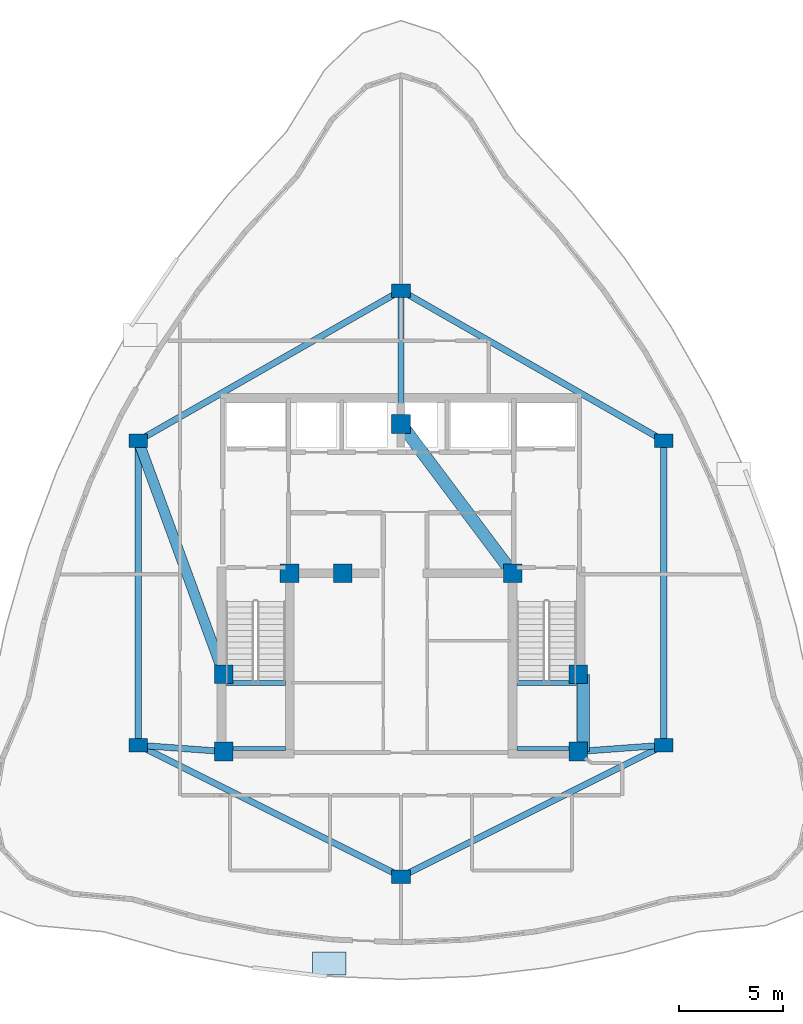
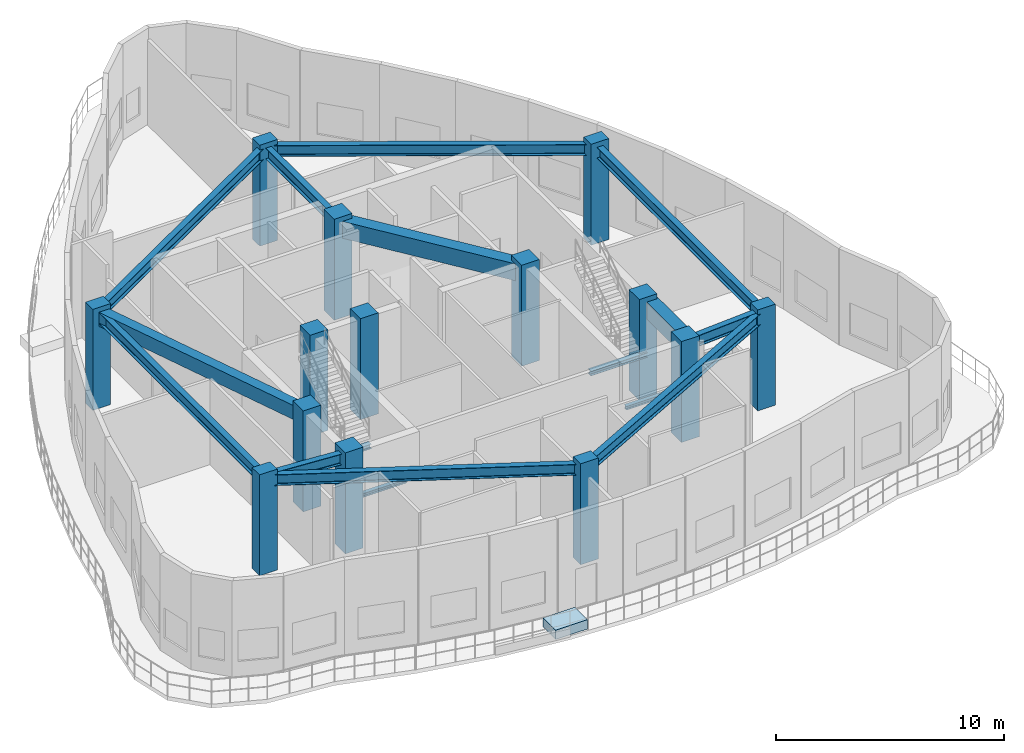
# One storey, part 1 of 11: 16 beams, 14 columns, 1 slab.
"""IFC4 building model written with IfcOpenShell, lengths in metres."""

from ifc_helpers import new_model, si_unit, direction, frame, origin, origin_2d, place, context, subcontext, project, spatial, polyline, rectangle, i_section, outline, extrude, material, layer, layer_set, material_profile, profile_set, type_object, element, save


model = new_model("IFC4")

# Units and contexts
model_context = context("Model", 3, precision=1e-05, world=origin(), true_north=direction((0.0, 1.0)))
body_context = subcontext(model_context, "Body", "Model", "MODEL_VIEW")
ifc_project = project(units=[si_unit("LENGTHUNIT", "METRE"), si_unit("AREAUNIT", "SQUARE_METRE"), si_unit("VOLUMEUNIT", "CUBIC_METRE"), si_unit("PLANEANGLEUNIT", "RADIAN"), si_unit("MASSUNIT", "GRAM", prefix="KILO")], contexts=[model_context])

# Site, building, storey
site_placement = place(None, origin())
site = spatial("IfcSite", under=ifc_project, at=site_placement, CompositionType="ELEMENT")
building_placement = place(site_placement, origin())
building = spatial("IfcBuilding", under=site, at=building_placement, Name="Miruveldt Soraemaru", CompositionType="ELEMENT")
storey_placement = place(building_placement, frame((0.0, 0.0, 295.39990234375)))
storey = spatial("IfcBuildingStorey", under=building, at=storey_placement, Name="L79", CompositionType="ELEMENT", Elevation=295.39990234375)

# Columns
ifc_material_1 = material(Name="Concrete C50/60 (50 MPa)", Category="concrete")
ifc_material_profile_1 = material_profile(ifc_material_1, rectangle(XDim=0.89990234375, YDim=0.89990234375, at=origin_2d()), Name="Concrete C50/60 (50 MPa)", Category="concrete")
ifc_profile_set_1 = profile_set([ifc_material_profile_1], Name="Concrete C50/60 (50 MPa)")
column_type_1 = type_object("IfcColumnType", Name="COL-CORE-900", PredefinedType="COLUMN", material=ifc_profile_set_1)
for number, where, z_axis, x_axis, name in (
    (1, (35.5, 35.5, 0.0), (0.0, 0.0, 1.0), (1.0, 0.0, 0.0), "L79 Structural Column CC1"),
    (2, (38.64990234375, 44.050048828125, 0.0), (0.0, 0.0, 1.0), (1.0, 0.0, 0.0), "L79 Structural Column CC2"),
    (3, (52.5, 35.5, 0.0), (0.0, 0.0, 1.0), (1.0, 0.0, 0.0), "L79 Structural Column CC3"),
    (4, (52.5, 39.199951171875, 0.0), (0.0, 0.0, 1.0), (1.0, 0.0, 0.0), "L79 Structural Column CC4"),
    (5, (49.35009765625, 44.050048828125, 0.0), (0.0, 0.0, 1.0), (1.0, 0.0, 0.0), "L79 Structural Column CC5"),
    (6, (44.0, 51.199951171875, 0.0), (0.0, 0.0, 1.0), (1.0, 0.0, 0.0), "L79 Structural Column CC6"),
    (7, (35.5, 39.199951171875, 0.0), (0.0, 0.0, 1.0), (1.0, 0.0, 0.0), "L79 Structural Column CC7"),
    (8, (41.199951171875, 44.050048828125, 0.0), (0.0, 0.0, 1.0), (1.0, 0.0, 0.0), "L79 Structural Column CC8"),
):
    element("IfcColumn", number, at=place(storey_placement, frame(where, z_axis=z_axis, x_axis=x_axis)), inside=storey, type_object=column_type_1, Name=name, PredefinedType="COLUMN", context=body_context, shape_type="SweptSolid", body=[
        extrude(rectangle(XDim=0.89990234375, YDim=0.89990234375, at=origin_2d()), origin(), (0.0, 0.0, 1.0), 5.400146484375),
    ])
ifc_material_profile_2 = material_profile(ifc_material_1, rectangle(XDim=0.89990234375, YDim=0.64990234375, at=origin_2d()), Name="Concrete C50/60 (50 MPa)", Category="concrete")
ifc_profile_set_2 = profile_set([ifc_material_profile_2], Name="Concrete C50/60 (50 MPa)")
column_type_2 = type_object("IfcColumnType", Name="COL-TW-Z4", PredefinedType="COLUMN", material=ifc_profile_set_2)
for number, where, z_axis, x_axis, name in (
    (9, (44.0, 57.60009765625, 0.0), (0.0, 0.0, 1.0), (1.0, 0.0, 0.0), "L79 Structural Column IR01"),
    (10, (56.60009765625, 50.39990234375, 0.0), (0.0, 0.0, 1.0), (1.0, 0.0, 0.0), "L79 Structural Column IR02"),
    (11, (56.60009765625, 35.800048828125, 0.0), (0.0, 0.0, 1.0), (1.0, 0.0, 0.0), "L79 Structural Column IR03"),
    (12, (44.0, 29.5, 0.0), (0.0, 0.0, 1.0), (1.0, 0.0, 0.0), "L79 Structural Column IR04"),
    (13, (31.39990234375, 35.800048828125, 0.0), (0.0, 0.0, 1.0), (1.0, 0.0, 0.0), "L79 Structural Column IR05"),
    (14, (31.39990234375, 50.39990234375, 0.0), (0.0, 0.0, 1.0), (1.0, 0.0, 0.0), "L79 Structural Column IR06"),
):
    element("IfcColumn", number, at=place(storey_placement, frame(where, z_axis=z_axis, x_axis=x_axis)), inside=storey, type_object=column_type_2, Name=name, PredefinedType="COLUMN", context=body_context, shape_type="SweptSolid", body=[
        extrude(rectangle(XDim=0.89990234375, YDim=0.64990234375, at=origin_2d()), origin(), (0.0, 0.0, 1.0), 5.400146484375),
    ])

# Beams
ifc_material_2 = material(Name="Concrete C40/50 (40 MPa)", Category="concrete")
ifc_material_profile_3 = material_profile(ifc_material_2, rectangle(XDim=0.5, YDim=0.75, at=origin_2d()), Name="Concrete C40/50 (40 MPa)", Category="concrete")
ifc_profile_set_3 = profile_set([ifc_material_profile_3], Name="Concrete C40/50 (40 MPa)")
beam_type_1 = type_object("IfcBeamType", Name="BM-RC-500x750", PredefinedType="LINTEL", material=ifc_profile_set_3)
beam_1_placement = place(storey_placement, frame((31.39990234375, 50.39990234375, 4.76513671875), z_axis=(0.343770424598, -0.939053723262, 0.0), x_axis=(0.939053723262, 0.343770424598, 0.0)))
element("IfcBeam", 15, at=beam_1_placement, inside=storey, type_object=beam_type_1, Name="L79 West Lobby Lintel", PredefinedType="LINTEL", context=body_context, shape_type="SweptSolid", body=[
    extrude(rectangle(XDim=0.5, YDim=0.75, at=origin_2d()), origin(), (0.0, 0.0, 1.0), 11.9267578125),
])
ifc_material_3 = material(Name="Concrete C60/75 (60 MPa)", Category="concrete")
ifc_material_profile_4 = material_profile(ifc_material_3, rectangle(XDim=0.60009765625, YDim=0.89990234375, at=origin_2d()), Name="Concrete C60/75 (60 MPa)", Category="concrete")
ifc_profile_set_4 = profile_set([ifc_material_profile_4], Name="Concrete C60/75 (60 MPa)")
beam_type_2 = type_object("IfcBeamType", Name="BM-RC-600x900", PredefinedType="BEAM", material=ifc_profile_set_4)
beam_2_placement = place(storey_placement, frame((52.72998046875, 35.5, 4.690185546875), z_axis=(0.0, 1.0, 0.0), x_axis=(-1.0, 0.0, 0.0)))
element("IfcBeam", 16, at=beam_2_placement, inside=storey, type_object=beam_type_2, Name="L79 Core Tie Beam 3", PredefinedType="BEAM", context=body_context, shape_type="SweptSolid", body=[
    extrude(rectangle(XDim=0.60009765625, YDim=0.89990234375, at=origin_2d()), origin(), (0.0, 0.0, 1.0), 3.699951171875),
])
beam_3_placement = place(storey_placement, frame((49.35009765625, 44.050048828125, 4.690185546875), z_axis=(-0.599116023999, 0.800662219533, 0.0), x_axis=(-0.800662219533, -0.599116023999, 0.0)))
element("IfcBeam", 17, at=beam_3_placement, inside=storey, type_object=beam_type_2, Name="L79 Core Tie Beam 5", PredefinedType="BEAM", context=body_context, shape_type="SweptSolid", body=[
    extrude(rectangle(XDim=0.60009765625, YDim=0.89990234375, at=origin_2d()), origin(), (0.0, 0.0, 1.0), 8.929931640625),
])
ifc_material_4 = material(Name="Steel SM355 (355 MPa)", Category="steel")
ifc_material_profile_5 = material_profile(ifc_material_4, i_section(OverallWidth=0.300048828125, OverallDepth=0.587890625, WebThickness=0.011962890625, FlangeThickness=0.02001953125, FilletRadius=0.028076171875, at=origin_2d()), Name="Steel SM355 (355 MPa)", Category="steel")
ifc_profile_set_5 = profile_set([ifc_material_profile_5], Name="Steel SM355 (355 MPa)")
beam_type_3 = type_object("IfcBeamType", Name="BM-ST-H588", PredefinedType="BEAM", material=ifc_profile_set_5)
beam_4_placement = place(storey_placement, frame((44.0, 57.60009765625, 4.84619140625), z_axis=(0.868239001029, -0.496146185203, 0.0), x_axis=(0.496146185203, 0.868239001029, 0.0)))
element("IfcBeam", 18, at=beam_4_placement, inside=storey, type_object=beam_type_3, Name="L79 Inner Ring Girder 1", PredefinedType="BEAM", context=body_context, shape_type="SweptSolid", body=[
    extrude(i_section(OverallWidth=0.300048828125, OverallDepth=0.587890625, WebThickness=0.011962890625, FlangeThickness=0.02001953125, FilletRadius=0.028076171875, at=origin_2d()), origin(), (0.0, 0.0, 1.0), 14.51220703125),
])
beam_5_placement = place(storey_placement, frame((44.0, 51.199951171875, 4.84619140625), z_axis=(0.0, 1.0, 0.0), x_axis=(-1.0, 0.0, 0.0)))
element("IfcBeam", 19, at=beam_5_placement, inside=storey, type_object=beam_type_3, Name="L79 Core-to-Inner Radial Girder 1", PredefinedType="BEAM", context=body_context, shape_type="SweptSolid", body=[
    extrude(i_section(OverallWidth=0.300048828125, OverallDepth=0.587890625, WebThickness=0.011962890625, FlangeThickness=0.02001953125, FilletRadius=0.028076171875, at=origin_2d()), origin(), (0.0, 0.0, 1.0), 6.400146484375),
])
beam_6_placement = place(storey_placement, frame((56.60009765625, 50.39990234375, 4.84619140625), z_axis=(0.0, -1.0, 0.0), x_axis=(1.0, 0.0, 0.0)))
element("IfcBeam", 20, at=beam_6_placement, inside=storey, type_object=beam_type_3, Name="L79 Inner Ring Girder 2", PredefinedType="BEAM", context=body_context, shape_type="SweptSolid", body=[
    extrude(i_section(OverallWidth=0.300048828125, OverallDepth=0.587890625, WebThickness=0.011962890625, FlangeThickness=0.02001953125, FilletRadius=0.028076171875, at=origin_2d()), origin(), (0.0, 0.0, 1.0), 14.599853515625),
])
beam_7_placement = place(storey_placement, frame((56.60009765625, 35.800048828125, 4.84619140625), z_axis=(-0.894427191, -0.4472135955, 0.0), x_axis=(0.4472135955, -0.894427191, 0.0)))
element("IfcBeam", 21, at=beam_7_placement, inside=storey, type_object=beam_type_3, Name="L79 Inner Ring Girder 3", PredefinedType="BEAM", context=body_context, shape_type="SweptSolid", body=[
    extrude(i_section(OverallWidth=0.300048828125, OverallDepth=0.587890625, WebThickness=0.011962890625, FlangeThickness=0.02001953125, FilletRadius=0.028076171875, at=origin_2d()), origin(), (0.0, 0.0, 1.0), 14.08740234375),
])
beam_8_placement = place(storey_placement, frame((52.5, 35.5, 4.84619140625), z_axis=(0.997332985605, 0.072985723431, 0.0), x_axis=(-0.072985723431, 0.997332985605, 0.0)))
element("IfcBeam", 22, at=beam_8_placement, inside=storey, type_object=beam_type_3, Name="L79 Core-to-Inner Radial Girder 3", PredefinedType="BEAM", context=body_context, shape_type="SweptSolid", body=[
    extrude(i_section(OverallWidth=0.300048828125, OverallDepth=0.587890625, WebThickness=0.011962890625, FlangeThickness=0.02001953125, FilletRadius=0.028076171875, at=origin_2d()), origin(), (0.0, 0.0, 1.0), 4.111083984375),
])
beam_9_placement = place(storey_placement, frame((44.0, 29.5, 4.84619140625), z_axis=(-0.894427191, 0.4472135955, 0.0), x_axis=(-0.4472135955, -0.894427191, 0.0)))
element("IfcBeam", 23, at=beam_9_placement, inside=storey, type_object=beam_type_3, Name="L79 Inner Ring Girder 4", PredefinedType="BEAM", context=body_context, shape_type="SweptSolid", body=[
    extrude(i_section(OverallWidth=0.300048828125, OverallDepth=0.587890625, WebThickness=0.011962890625, FlangeThickness=0.02001953125, FilletRadius=0.028076171875, at=origin_2d()), origin(), (0.0, 0.0, 1.0), 14.08740234375),
])
beam_10_placement = place(storey_placement, frame((31.39990234375, 35.800048828125, 4.84619140625), z_axis=(0.0, 1.0, 0.0), x_axis=(-1.0, 0.0, 0.0)))
element("IfcBeam", 24, at=beam_10_placement, inside=storey, type_object=beam_type_3, Name="L79 Inner Ring Girder 5", PredefinedType="BEAM", context=body_context, shape_type="SweptSolid", body=[
    extrude(i_section(OverallWidth=0.300048828125, OverallDepth=0.587890625, WebThickness=0.011962890625, FlangeThickness=0.02001953125, FilletRadius=0.028076171875, at=origin_2d()), origin(), (0.0, 0.0, 1.0), 14.599853515625),
])
beam_11_placement = place(storey_placement, frame((35.5, 35.5, 4.84619140625), z_axis=(-0.997332985605, 0.072985723431, 0.0), x_axis=(-0.072985723431, -0.997332985605, 0.0)))
element("IfcBeam", 25, at=beam_11_placement, inside=storey, type_object=beam_type_3, Name="L79 Core-to-Inner Radial Girder 5", PredefinedType="BEAM", context=body_context, shape_type="SweptSolid", body=[
    extrude(i_section(OverallWidth=0.300048828125, OverallDepth=0.587890625, WebThickness=0.011962890625, FlangeThickness=0.02001953125, FilletRadius=0.028076171875, at=origin_2d()), origin(), (0.0, 0.0, 1.0), 4.111083984375),
])
beam_12_placement = place(storey_placement, frame((31.39990234375, 50.39990234375, 4.84619140625), z_axis=(0.868239001029, 0.496146185203, 0.0), x_axis=(-0.496146185203, 0.868239001029, 0.0)))
element("IfcBeam", 26, at=beam_12_placement, inside=storey, type_object=beam_type_3, Name="L79 Inner Ring Girder 6", PredefinedType="BEAM", context=body_context, shape_type="SweptSolid", body=[
    extrude(i_section(OverallWidth=0.300048828125, OverallDepth=0.587890625, WebThickness=0.011962890625, FlangeThickness=0.02001953125, FilletRadius=0.028076171875, at=origin_2d()), origin(), (0.0, 0.0, 1.0), 14.51220703125),
])
ifc_material_profile_6 = material_profile(ifc_material_4, i_section(OverallWidth=0.199951171875, OverallDepth=0.199951171875, WebThickness=0.008056640625, FlangeThickness=0.011962890625, FilletRadius=0.012939453125, at=origin_2d()), Name="Steel SM355 (355 MPa)", Category="steel")
ifc_profile_set_6 = profile_set([ifc_material_profile_6], Name="Steel SM355 (355 MPa)")
beam_type_4 = type_object("IfcBeamType", Name="BM-ST-LND200", PredefinedType="BEAM", material=ifc_profile_set_6)
for number, where, z_axis, x_axis, name in (
    (27, (35.60009765625, 35.64990234375, 2.400146484375), (1.0, 0.0, 0.0), (0.0, 1.0, 0.0), "L79 ST1 Landing End Beam 1B"),
    (28, (49.550048828125, 35.64990234375, 2.400146484375), (1.0, 0.0, 0.0), (0.0, 1.0, 0.0), "L79 ST2 Landing End Beam 1B"),
):
    element("IfcBeam", number, at=place(storey_placement, frame(where, z_axis=z_axis, x_axis=x_axis)), inside=storey, type_object=beam_type_4, Name=name, PredefinedType="BEAM", context=body_context, shape_type="SweptSolid", body=[
        extrude(i_section(OverallWidth=0.199951171875, OverallDepth=0.199951171875, WebThickness=0.008056640625, FlangeThickness=0.011962890625, FilletRadius=0.012939453125, at=origin_2d()), origin(), (0.0, 0.0, 1.0), 2.849853515625),
    ])
ifc_material_profile_7 = material_profile(ifc_material_4, i_section(OverallWidth=0.25, OverallDepth=0.25, WebThickness=0.009033203125, FlangeThickness=0.013916015625, FilletRadius=0.01611328125, at=origin_2d()), Name="Steel SM355 (355 MPa)", Category="steel")
ifc_profile_set_7 = profile_set([ifc_material_profile_7], Name="Steel SM355 (355 MPa)")
beam_type_5 = type_object("IfcBeamType", Name="BM-ST-LND250", PredefinedType="BEAM", material=ifc_profile_set_7)
for number, where, z_axis, x_axis, name in (
    (29, (35.60009765625, 38.780029296875, 2.375), (1.0, 0.0, 0.0), (0.0, 1.0, 0.0), "L79 ST1 Landing Support Beam 1A"),
    (30, (49.550048828125, 38.780029296875, 2.375), (1.0, 0.0, 0.0), (0.0, 1.0, 0.0), "L79 ST2 Landing Support Beam 1A"),
):
    element("IfcBeam", number, at=place(storey_placement, frame(where, z_axis=z_axis, x_axis=x_axis)), inside=storey, type_object=beam_type_5, Name=name, PredefinedType="BEAM", context=body_context, shape_type="SweptSolid", body=[
        extrude(i_section(OverallWidth=0.25, OverallDepth=0.25, WebThickness=0.009033203125, FlangeThickness=0.013916015625, FilletRadius=0.01611328125, at=origin_2d()), origin(), (0.0, 0.0, 1.0), 2.849853515625),
    ])

# Slab
ifc_material_5 = material(Name="Precast concrete C45/55 (45 MPa)", Category="concrete")
ifc_layer = layer(ifc_material_5, 0.179931640625, Name="Precast concrete C45/55 (45 MPa)", Category="concrete")
ifc_layer_set = layer_set([ifc_layer], Name="Precast concrete C45/55 (45 MPa)")
slab_type = type_object("IfcSlabType", Name="SLAB-PLTR-180", PredefinedType="USERDEFINED", material=ifc_layer_set)
slab_placement = place(storey_placement, origin())
element("IfcSlab", 31, at=slab_placement, inside=storey, type_object=slab_type, Name="L79 Terrace Planter Bed PLANTER 2", ObjectType="PLANTER", PredefinedType="USERDEFINED", context=body_context, shape_type="SweptSolid", body=[
    extrude(outline(polyline([(39.758056640625, 24.781005859375), (41.35791015625, 24.781005859375), (41.35791015625, 25.881103515625), (39.758056640625, 25.881103515625), (39.758056640625, 24.781005859375)])), origin(), (0.0, 0.0, 1.0), 0.5),
])

save(model, "model.ifc")
